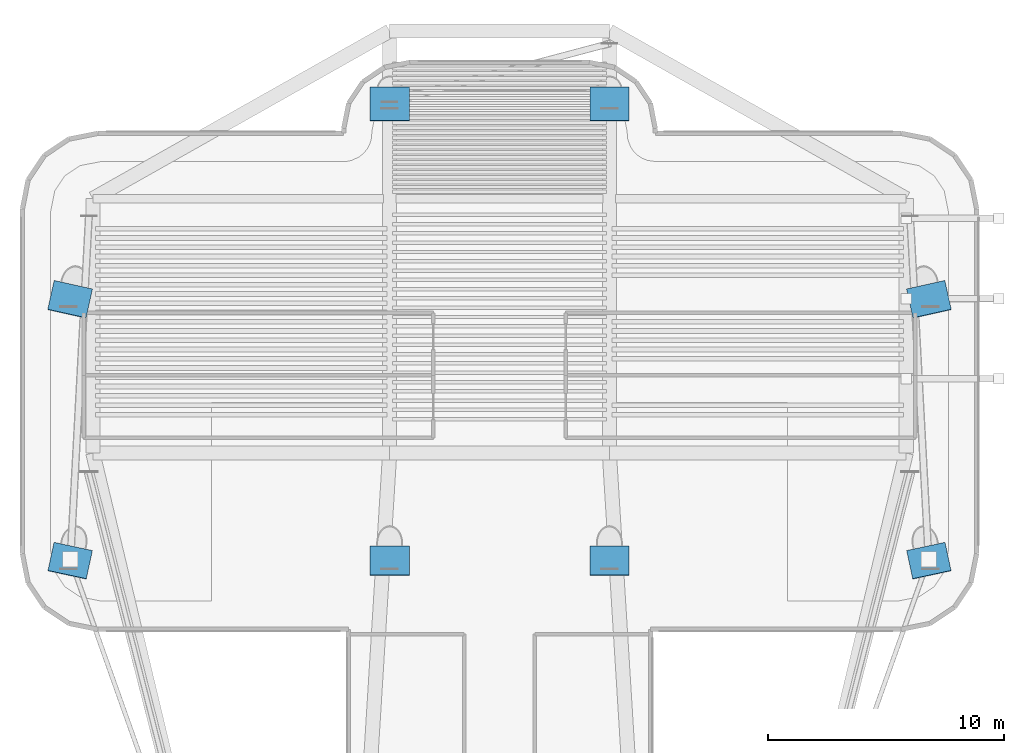
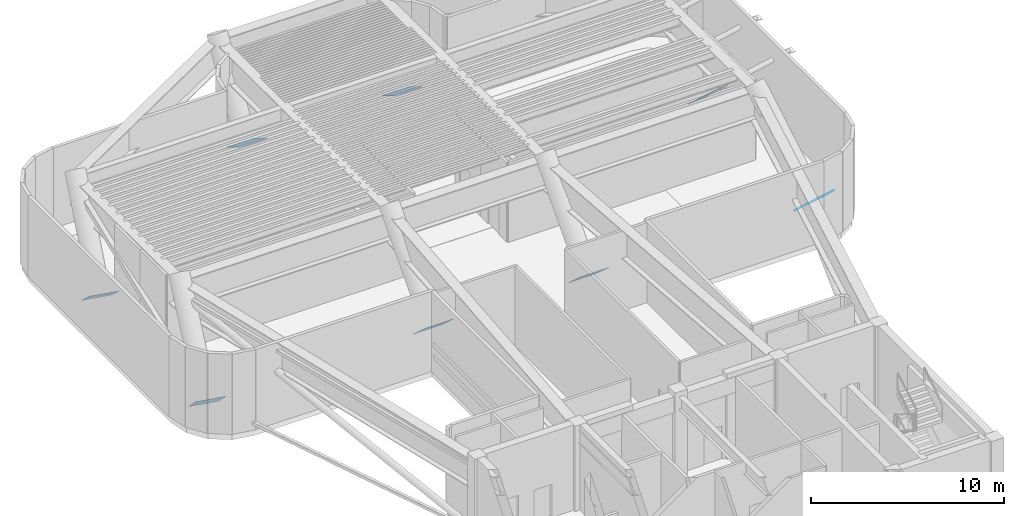
# One storey, part 8 of 11: 8 discrete accessories.
"""IFC4 building model written with IfcOpenShell, lengths in metres."""

from ifc_helpers import new_model, si_unit, direction, frame, origin, origin_2d, place, context, subcontext, project, spatial, rectangle, extrude, source, transform, mapped, material, material_profile, profile_set, type_object, element, save


model = new_model("IFC4")

# Units and contexts
model_context = context("Model", 3, precision=1e-05, world=origin(), true_north=direction((0.0, 1.0)))
body_context = subcontext(model_context, "Body", "Model", "MODEL_VIEW")
ifc_project = project(units=[si_unit("LENGTHUNIT", "METRE"), si_unit("AREAUNIT", "SQUARE_METRE"), si_unit("VOLUMEUNIT", "CUBIC_METRE"), si_unit("PLANEANGLEUNIT", "RADIAN"), si_unit("MASSUNIT", "GRAM", prefix="KILO")], contexts=[model_context])

# Site, building, storey
site_placement = place(None, origin())
site = spatial("IfcSite", under=ifc_project, at=site_placement, CompositionType="ELEMENT")
building_placement = place(site_placement, origin())
building = spatial("IfcBuilding", under=site, at=building_placement, Name="Brelvock Crest Care Tower", CompositionType="ELEMENT")
storey_placement = place(building_placement, frame((0.0, 0.0, 213.1201171875)))
storey = spatial("IfcBuildingStorey", under=building, at=storey_placement, Name="L54", CompositionType="ELEMENT", Elevation=213.1201171875)

# Discrete accessories
ifc_material = material(Name="Steel Grade 350", Category="steel")
ifc_material_profile = material_profile(ifc_material, rectangle(XDim=1.659912109375, YDim=1.659912109375, at=origin_2d()), Name="ACC-CAP1")
ifc_profile_set = profile_set([ifc_material_profile], Name="Steel Grade 350")
discrete_accessory_type = type_object("IfcDiscreteAccessoryType", Name="ACC-CAP1", PredefinedType="BRACKET", material=ifc_profile_set)
shared_shape = source(origin(), body_context, "Body", "SweptSolid", [
    extrude(rectangle(XDim=1.659912109375, YDim=1.659912109375, at=origin_2d()), origin(), (0.0, 0.0, 1.0), 0.02392578125),
])
for number, where, z_axis, x_axis, name in (
    (1, (17.822998046875, 35.295654296875, 0.380126953125), (0.142849706061, 0.663230778139, 0.734655631169), (-0.977581781174, 0.210556075945, 0.0), "L54 Mega-Column Base End Cap Shoe M1"),
    (2, (17.8203125, 46.36083984375, 0.3662109375), (0.142582752473, 0.641622386128, 0.753651691643), (-0.976187060184, 0.216930457819, 0.0), "L54 Mega-Column Base End Cap Shoe M2"),
    (3, (54.177001953125, 35.295654296875, 0.380126953125), (-0.142849706061, 0.663230778139, 0.734655631169), (-0.977581781174, -0.210556075945, 0.0), "L54 Mega-Column Base End Cap Shoe M3"),
    (4, (54.1796875, 46.36083984375, 0.3662109375), (-0.142582752473, 0.641622386128, 0.753651691643), (-0.976187060184, -0.216930457819, 0.0), "L54 Mega-Column Base End Cap Shoe M4"),
    (5, (31.35009765625, 35.29150390625, 0.37548828125), (0.0, 0.670647211269, 0.741776460949), (-1.0, 0.0, 0.0), "L54 Mega-Column Base End Cap Shoe M5"),
    (6, (40.64990234375, 35.29150390625, 0.37548828125), (0.0, 0.670647211269, 0.741776460949), (-1.0, 0.0, 0.0), "L54 Mega-Column Base End Cap Shoe M6"),
    (7, (31.35009765625, 54.625, 0.28857421875), (0.0, 0.518978134242, 0.854787515222), (-1.0, 0.0, 0.0), "L54 Mega-Column Base End Cap Shoe M7"),
    (8, (40.64990234375, 54.625, 0.28857421875), (0.0, 0.518978134242, 0.854787515222), (-1.0, 0.0, 0.0), "L54 Mega-Column Base End Cap Shoe M8"),
):
    element("IfcDiscreteAccessory", number, at=place(storey_placement, frame(where, z_axis=z_axis, x_axis=x_axis)), inside=storey, type_object=discrete_accessory_type, Name=name, PredefinedType="BRACKET", context=body_context, shape_type="MappedRepresentation", body=[
        mapped(shared_shape, transform((0.0, 0.0, 0.0), x_axis=(1.0, 0.0, 0.0), y_axis=(0.0, 1.0, 0.0), z_axis=(0.0, 0.0, 1.0), scale=1.0)),
    ])

save(model, "model.ifc")
